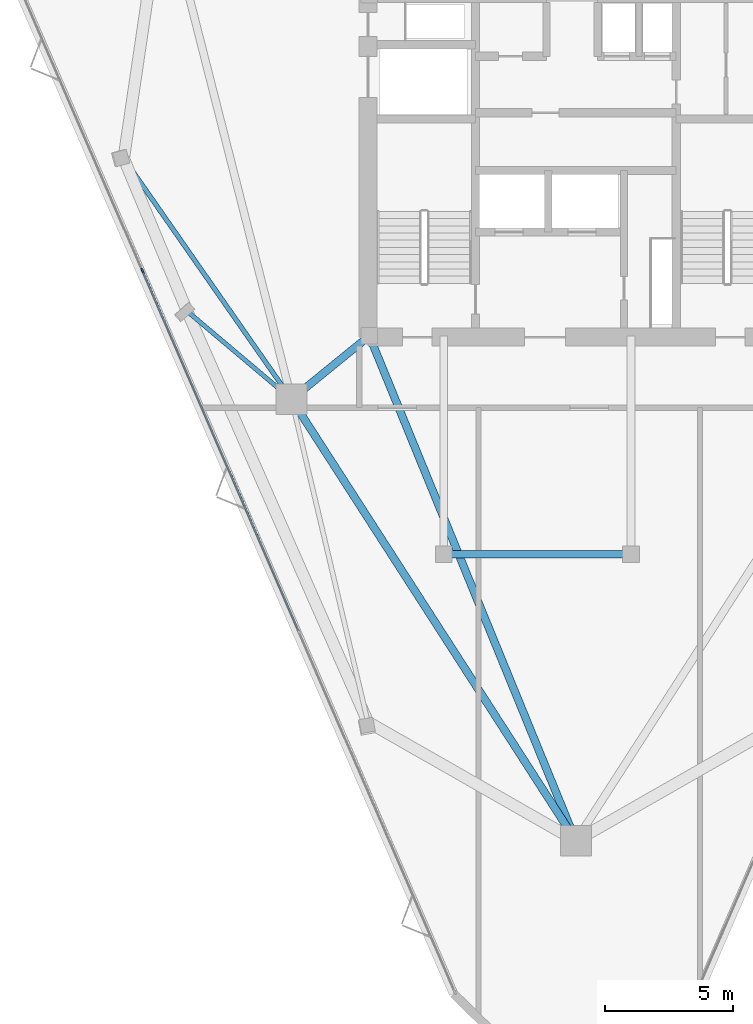
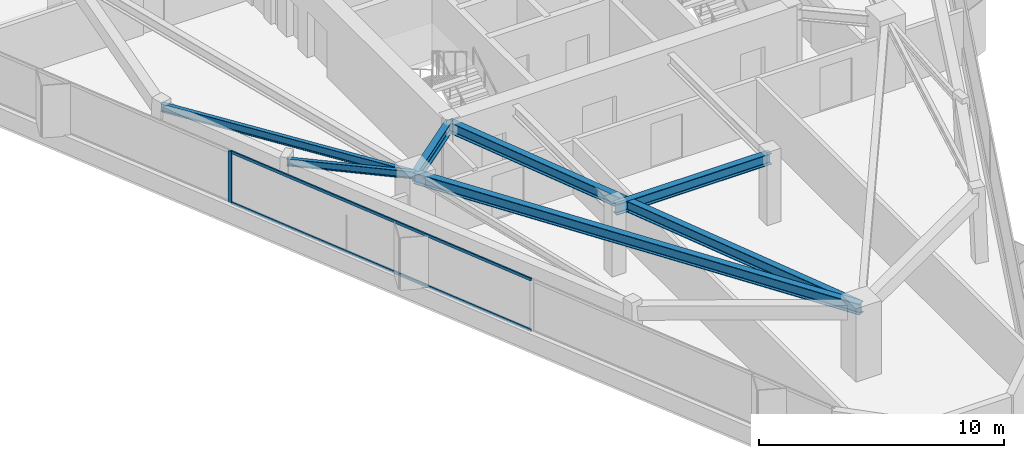
# One storey, part 3 of 12: 6 beams, 3 members, 1 element without a shape of its own.
"""IFC4 building model written with IfcOpenShell, lengths in metres."""

from ifc_helpers import new_model, si_unit, direction, frame, origin, origin_2d, place, context, subcontext, project, spatial, rectangle, i_section, extrude, material, layer, layer_set, material_profile, profile_set, type_object, element, aggregate, save


model = new_model("IFC4")

# Units and contexts
model_context = context("Model", 3, precision=1e-05, world=origin(), true_north=direction((0.0, 1.0)))
body_context = subcontext(model_context, "Body", "Model", "MODEL_VIEW")
ifc_project = project(units=[si_unit("LENGTHUNIT", "METRE"), si_unit("AREAUNIT", "SQUARE_METRE"), si_unit("VOLUMEUNIT", "CUBIC_METRE"), si_unit("PLANEANGLEUNIT", "RADIAN"), si_unit("MASSUNIT", "GRAM", prefix="KILO")], contexts=[model_context])

# Site, building, storey
site_placement = place(None, origin())
site = spatial("IfcSite", under=ifc_project, at=site_placement, CompositionType="ELEMENT")
building_placement = place(site_placement, origin())
building = spatial("IfcBuilding", under=site, at=building_placement, Name="Talyreon Biosciences Tower", CompositionType="ELEMENT")
storey_placement = place(building_placement, frame((0.0, 0.0, 246.199951171875)))
storey = spatial("IfcBuildingStorey", under=building, at=storey_placement, Name="L65", CompositionType="ELEMENT", Elevation=246.199951171875)

# Curtain wall, members
ifc_material_1 = material(Name="Thermally broken aluminium and low-E glazing", Category="aluminium")
ifc_layer = layer(ifc_material_1, 0.175048828125)
ifc_layer_set = layer_set([ifc_layer], Name="Thermally broken aluminium and low-E glazing")
curtain_wall_type = type_object("IfcCurtainWallType", Name="CurtainWall_Zone5CompLab", PredefinedType="NOTDEFINED", material=ifc_layer_set)
curtain_wall_placement = place(storey_placement, origin())
curtain_wall = element("IfcCurtainWall", 1, at=curtain_wall_placement, inside=storey, type_object=curtain_wall_type, Name="L65 Unitised Curtain Wall FCW-L65-00", PredefinedType="NOTDEFINED")
ifc_material_2 = material(Name="Anodised thermally broken aluminium", Category="aluminium")
ifc_material_profile_1 = material_profile(ifc_material_2, rectangle(XDim=0.06494140625, YDim=0.179931640625, at=origin_2d()), Name="ALUM MULLION 65x180")
ifc_profile_set_1 = profile_set([ifc_material_profile_1], Name="Anodised thermally broken aluminium")
member_type_1 = type_object("IfcMemberType", Name="CWMullion_65x180", PredefinedType="MULLION", material=ifc_profile_set_1)
member_1_placement = place(storey_placement, frame((49.099365234375, 63.8994140625, 0.81005859375), z_axis=(0.0, 0.0, 1.0), x_axis=(-0.91758594353, -0.397537465198, 0.0)))
member_1 = element("IfcMember", 2, at=member_1_placement, type_object=member_type_1, Name="CW6 mullion 3", PredefinedType="MULLION", context=body_context, shape_type="SweptSolid", body=[
    extrude(rectangle(XDim=0.06494140625, YDim=0.179931640625, at=origin_2d()), origin(), (0.0, 0.0, 1.0), 2.590087890625),
])
ifc_material_profile_2 = material_profile(ifc_material_2, rectangle(XDim=0.06494140625, YDim=0.139892578125, at=origin_2d()), Name="ALUM TRANSOM 65x140")
ifc_profile_set_2 = profile_set([ifc_material_profile_2], Name="Anodised thermally broken aluminium")
member_type_2 = type_object("IfcMemberType", Name="CWTransom_65x140", PredefinedType="USERDEFINED", material=ifc_profile_set_2)
member_2_placement = place(storey_placement, frame((55.187744140625, 49.846435546875, 0.842529296875), z_axis=(-0.39753705097, 0.917586122991, 0.0), x_axis=(-0.917586122991, -0.39753705097, 0.0)))
member_2 = element("IfcMember", 3, at=member_2_placement, type_object=member_type_2, Name="CW6 transom 2.1", ObjectType="TRANSOM", PredefinedType="USERDEFINED", context=body_context, shape_type="SweptSolid", body=[
    extrude(rectangle(XDim=0.06494140625, YDim=0.139892578125, at=origin_2d()), origin(), (0.0, 0.0, 1.0), 15.28271484375),
])
member_3_placement = place(storey_placement, frame((55.187744140625, 49.846435546875, 3.367431640625), z_axis=(-0.39753705097, 0.917586122991, 0.0), x_axis=(-0.917586122991, -0.39753705097, 0.0)))
member_3 = element("IfcMember", 4, at=member_3_placement, type_object=member_type_2, Name="CW6 transom 2.2", ObjectType="TRANSOM", PredefinedType="USERDEFINED", context=body_context, shape_type="SweptSolid", body=[
    extrude(rectangle(XDim=0.06494140625, YDim=0.139892578125, at=origin_2d()), origin(), (0.0, 0.0, 1.0), 15.28271484375),
])
aggregate(curtain_wall, [member_1, member_2, member_3])

# Beams
ifc_material_3 = material(Name="Steel SM355", Category="steel")
ifc_material_profile_3 = material_profile(ifc_material_3, i_section(OverallWidth=0.300048828125, OverallDepth=0.550048828125, WebThickness=0.014892578125, FlangeThickness=0.029052734375, FilletRadius=0.027099609375, at=origin_2d()), Name="HE550B")
ifc_profile_set_3 = profile_set([ifc_material_profile_3], Name="Steel SM355")
beam_type_1 = type_object("IfcBeamType", Name="SteelBeam_HE550B", PredefinedType="BEAM", material=ifc_profile_set_3)
beam_1_placement = place(storey_placement, frame((54.913818359375, 58.88037109375, 3.125), z_axis=(0.541463723609, -0.840724114092, 0.0), x_axis=(0.840724114092, 0.541463723609, 0.0)))
element("IfcBeam", 5, at=beam_1_placement, inside=storey, type_object=beam_type_1, Name="L65 Mega-Ring Girder 6", PredefinedType="BEAM", context=body_context, shape_type="SweptSolid", body=[
    extrude(i_section(OverallWidth=0.300048828125, OverallDepth=0.550048828125, WebThickness=0.014892578125, FlangeThickness=0.029052734375, FilletRadius=0.027099609375, at=origin_2d()), origin(), (0.0, 0.0, 1.0), 20.474365234375),
])
beam_2_placement = place(storey_placement, frame((57.949951171875, 61.35009765625, 3.125), z_axis=(0.378547014545, -0.925582064314, 0.0), x_axis=(0.925582064314, 0.378547014545, 0.0)))
element("IfcBeam", 6, at=beam_2_placement, inside=storey, type_object=beam_type_1, Name="L65 Radial Primary Girder 1", PredefinedType="BEAM", context=body_context, shape_type="SweptSolid", body=[
    extrude(i_section(OverallWidth=0.300048828125, OverallDepth=0.550048828125, WebThickness=0.014892578125, FlangeThickness=0.029052734375, FilletRadius=0.027099609375, at=origin_2d()), origin(), (0.0, 0.0, 1.0), 21.265625),
])
beam_3_placement = place(storey_placement, frame((57.949951171875, 61.35009765625, 3.125), z_axis=(-0.775755154013, -0.631034025249, 0.0), x_axis=(0.631034025249, -0.775755154013, 0.0)))
element("IfcBeam", 7, at=beam_3_placement, inside=storey, type_object=beam_type_1, Name="L65 Radial Primary Girder 6", PredefinedType="BEAM", context=body_context, shape_type="SweptSolid", body=[
    extrude(i_section(OverallWidth=0.300048828125, OverallDepth=0.550048828125, WebThickness=0.014892578125, FlangeThickness=0.029052734375, FilletRadius=0.027099609375, at=origin_2d()), origin(), (0.0, 0.0, 1.0), 3.913818359375),
])
beam_4_placement = place(storey_placement, frame((60.85009765625, 52.840087890625, 3.125), z_axis=(1.0, 0.0, 0.0), x_axis=(0.0, 1.0, 0.0)))
element("IfcBeam", 8, at=beam_4_placement, inside=storey, type_object=beam_type_1, Name="L65 Crown Shaft Spine Girder S", PredefinedType="BEAM", context=body_context, shape_type="SweptSolid", body=[
    extrude(i_section(OverallWidth=0.300048828125, OverallDepth=0.550048828125, WebThickness=0.014892578125, FlangeThickness=0.029052734375, FilletRadius=0.027099609375, at=origin_2d()), origin(), (0.0, 0.0, 1.0), 7.2998046875),
])
ifc_material_profile_4 = material_profile(ifc_material_3, i_section(OverallWidth=0.169921875, OverallDepth=0.360107421875, WebThickness=0.008056640625, FlangeThickness=0.0126953125, FilletRadius=0.01806640625, at=origin_2d()), Name="IPE360")
ifc_profile_set_4 = profile_set([ifc_material_profile_4], Name="Steel SM355")
beam_type_2 = type_object("IfcBeamType", Name="SteelJoist_IPE360", PredefinedType="JOIST", material=ifc_profile_set_4)
beam_5_placement = place(storey_placement, frame((54.913818359375, 58.88037109375, 3.219970703125), z_axis=(-0.764404461083, 0.644737016059, 0.0), x_axis=(-0.644737016059, -0.764404461083, 0.0)))
element("IfcBeam", 9, at=beam_5_placement, inside=storey, type_object=beam_type_2, Name="L65 Radial Composite Floor Joist PL-SW", PredefinedType="JOIST", context=body_context, shape_type="SweptSolid", body=[
    extrude(i_section(OverallWidth=0.169921875, OverallDepth=0.360107421875, WebThickness=0.008056640625, FlangeThickness=0.0126953125, FilletRadius=0.01806640625, at=origin_2d()), origin(), (0.0, 0.0, 1.0), 5.32470703125),
])
ifc_material_profile_5 = material_profile(ifc_material_3, i_section(OverallWidth=0.179931640625, OverallDepth=0.39990234375, WebThickness=0.008544921875, FlangeThickness=0.013427734375, FilletRadius=0.02099609375, at=origin_2d()), Name="IPE400")
ifc_profile_set_5 = profile_set([ifc_material_profile_5], Name="Steel SM355")
beam_type_3 = type_object("IfcBeamType", Name="SteelJoist_IPE400", PredefinedType="JOIST", material=ifc_profile_set_5)
beam_6_placement = place(storey_placement, frame((54.913818359375, 58.88037109375, 3.199951171875), z_axis=(-0.571679505807, 0.820477021397, 0.0), x_axis=(-0.820477021397, -0.571679505807, 0.0)))
element("IfcBeam", 10, at=beam_6_placement, inside=storey, type_object=beam_type_3, Name="L65 Radial Composite Floor Joist PC-SW1", PredefinedType="JOIST", context=body_context, shape_type="SweptSolid", body=[
    extrude(i_section(OverallWidth=0.179931640625, OverallDepth=0.39990234375, WebThickness=0.008544921875, FlangeThickness=0.013427734375, FilletRadius=0.02099609375, at=origin_2d()), origin(), (0.0, 0.0, 1.0), 11.441650390625),
])

save(model, "model.ifc")
